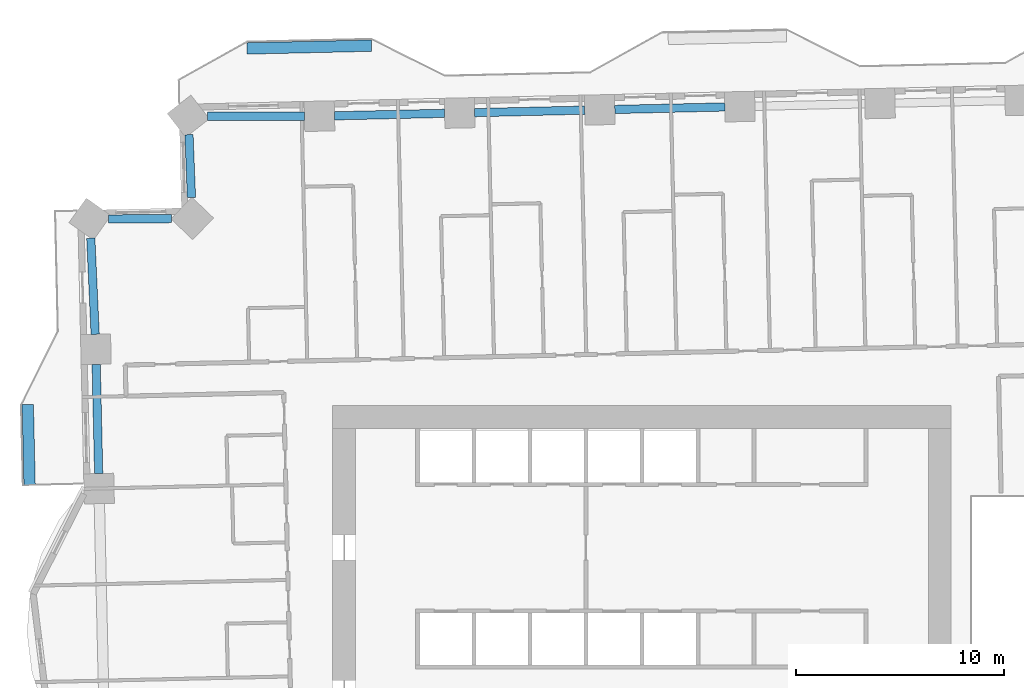
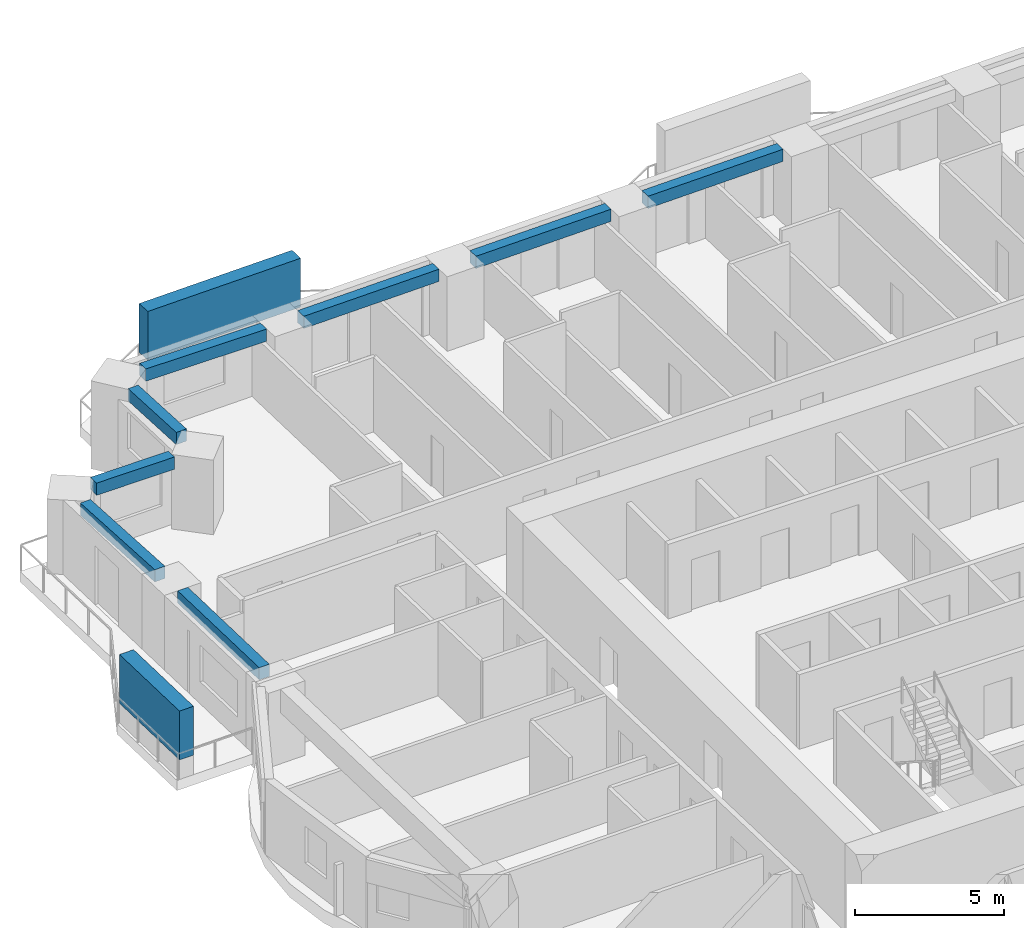
# One storey, part 3 of 17: 8 beams, 2 members.
"""IFC4 building model written with IfcOpenShell, lengths in metres."""

from ifc_helpers import new_model, si_unit, direction, frame, origin, origin_2d, place, context, subcontext, project, spatial, rectangle, extrude, material, material_profile, profile_set, type_object, element, save


model = new_model("IFC4")

# Units and contexts
model_context = context("Model", 3, precision=1e-05, world=origin(), true_north=direction((0.0, 1.0)))
body_context = subcontext(model_context, "Body", "Model", "MODEL_VIEW")
ifc_project = project(units=[si_unit("LENGTHUNIT", "METRE"), si_unit("AREAUNIT", "SQUARE_METRE"), si_unit("VOLUMEUNIT", "CUBIC_METRE"), si_unit("PLANEANGLEUNIT", "RADIAN"), si_unit("MASSUNIT", "GRAM", prefix="KILO")], contexts=[model_context])

# Site, building, storey
site_placement = place(None, origin())
site = spatial("IfcSite", under=ifc_project, at=site_placement, CompositionType="ELEMENT")
building_placement = place(site_placement, origin())
building = spatial("IfcBuilding", under=site, at=building_placement, Name="Mangrove Gate Tower", CompositionType="ELEMENT")
storey_placement = place(building_placement, frame((0.0, 0.0, 86.5)))
storey = spatial("IfcBuildingStorey", under=building, at=storey_placement, Name="L21", CompositionType="ELEMENT", Elevation=86.5)

# Members
ifc_material_1 = material(Name="Planting on aluminium trellis", Category="aluminium")
ifc_material_profile_1 = material_profile(ifc_material_1, rectangle(XDim=0.550048828125, YDim=2.0, at=origin_2d()))
ifc_profile_set_1 = profile_set([ifc_material_profile_1], Name="Planting on aluminium trellis")
member_type = type_object("IfcMemberType", Name="Balcony greenery screen 550x2000", PredefinedType="USERDEFINED", material=ifc_profile_set_1)
member_1_placement = place(storey_placement, frame((-19.028076171875, 29.10400390625, 1.800048828125), z_axis=(0.999743094499, 0.022665943652, 0.0), x_axis=(-0.022665943652, 0.999743094499, 0.0)))
element("IfcMember", 1, at=member_1_placement, inside=storey, type_object=member_type, Name="GREEN SCREEN L21 N1.1", ObjectType="PLANTING", PredefinedType="USERDEFINED", context=body_context, shape_type="SweptSolid", body=[
    extrude(rectangle(XDim=0.550048828125, YDim=2.0, at=origin_2d()), origin(), (0.0, 0.0, 1.0), 5.99951171875),
])
member_2_placement = place(storey_placement, frame((-29.5048828125, 8.071044921875, 1.800048828125), z_axis=(-0.022744303924, 0.999741314861, 0.0), x_axis=(-0.999741314861, -0.022744303924, 0.0)))
element("IfcMember", 2, at=member_2_placement, inside=storey, type_object=member_type, Name="GREEN SCREEN L21 W0.1", ObjectType="PLANTING", PredefinedType="USERDEFINED", context=body_context, shape_type="SweptSolid", body=[
    extrude(rectangle(XDim=0.550048828125, YDim=2.0, at=origin_2d()), origin(), (0.0, 0.0, 1.0), 3.875),
])

# Beams
ifc_material_2 = material(Name="Concrete C50/60", Category="concrete")
ifc_material_profile_2 = material_profile(ifc_material_2, rectangle(XDim=0.39990234375, YDim=0.5, at=origin_2d()))
ifc_profile_set_2 = profile_set([ifc_material_profile_2], Name="Concrete C50/60")
beam_type = type_object("IfcBeamType", Name="Edge beam RC 400x500 C50/60", PredefinedType="BEAM", material=ifc_profile_set_2)
beam_1_placement = place(storey_placement, frame((3.99365234375, 26.28564453125, 2.800048828125), z_axis=(-0.99974349642, -0.02264820887, 0.0), x_axis=(0.02264820887, -0.99974349642, 0.0)))
element("IfcBeam", 3, at=beam_1_placement, inside=storey, type_object=beam_type, Name="Edge beam L21 23", PredefinedType="BEAM", context=body_context, shape_type="SweptSolid", body=[
    extrude(rectangle(XDim=0.39990234375, YDim=0.5, at=origin_2d()), origin(), (0.0, 0.0, 1.0), 5.3037109375),
])
beam_2_placement = place(storey_placement, frame((-2.75830078125, 26.132568359375, 2.800048828125), z_axis=(-0.999740288296, -0.022789382579, 0.0), x_axis=(0.022789382579, -0.999740288296, 0.0)))
element("IfcBeam", 4, at=beam_2_placement, inside=storey, type_object=beam_type, Name="Edge beam L21 24", PredefinedType="BEAM", context=body_context, shape_type="SweptSolid", body=[
    extrude(rectangle(XDim=0.39990234375, YDim=0.5, at=origin_2d()), origin(), (0.0, 0.0, 1.0), 5.302978515625),
])
beam_3_placement = place(storey_placement, frame((-9.50927734375, 25.978759765625, 2.800048828125), z_axis=(-0.999743520031, -0.022647166622, 0.0), x_axis=(0.022647166622, -0.999743520031, 0.0)))
element("IfcBeam", 5, at=beam_3_placement, inside=storey, type_object=beam_type, Name="Edge beam L21 25", PredefinedType="BEAM", context=body_context, shape_type="SweptSolid", body=[
    extrude(rectangle(XDim=0.39990234375, YDim=0.5, at=origin_2d()), origin(), (0.0, 0.0, 1.0), 5.303955078125),
])
beam_4_placement = place(storey_placement, frame((-16.26171875, 25.842041015625, 2.800048828125), z_axis=(-0.999999987755, -0.000156494521, 0.0), x_axis=(0.000156494521, -0.999999987755, 0.0)))
element("IfcBeam", 6, at=beam_4_placement, inside=storey, type_object=beam_type, Name="Edge beam L21 26", PredefinedType="BEAM", context=body_context, shape_type="SweptSolid", body=[
    extrude(rectangle(XDim=0.39990234375, YDim=0.5, at=origin_2d()), origin(), (0.0, 0.0, 1.0), 4.68017578125),
])
beam_5_placement = place(storey_placement, frame((-21.82470703125, 24.950439453125, 2.800048828125), z_axis=(0.039073580826, -0.999236336049, 0.0), x_axis=(0.999236336049, 0.039073580826, 0.0)))
element("IfcBeam", 7, at=beam_5_placement, inside=storey, type_object=beam_type, Name="Edge beam L21 27", PredefinedType="BEAM", context=body_context, shape_type="SweptSolid", body=[
    extrude(rectangle(XDim=0.39990234375, YDim=0.5, at=origin_2d()), origin(), (0.0, 0.0, 1.0), 3.0302734375),
])
beam_6_placement = place(storey_placement, frame((-22.67578125, 20.907470703125, 2.800048828125), z_axis=(-0.99997920912, -0.006448358595, 0.0), x_axis=(0.006448358595, -0.99997920912, 0.0)))
element("IfcBeam", 8, at=beam_6_placement, inside=storey, type_object=beam_type, Name="Edge beam L21 28", PredefinedType="BEAM", context=body_context, shape_type="SweptSolid", body=[
    extrude(rectangle(XDim=0.39990234375, YDim=0.5, at=origin_2d()), origin(), (0.0, 0.0, 1.0), 3.02880859375),
])
beam_7_placement = place(storey_placement, frame((-26.55615234375, 19.96337890625, 2.800048828125), z_axis=(0.045496038402, -0.998964519135, 0.0), x_axis=(0.998964519135, 0.045496038402, 0.0)))
element("IfcBeam", 9, at=beam_7_placement, inside=storey, type_object=beam_type, Name="Edge beam L21 29", PredefinedType="BEAM", context=body_context, shape_type="SweptSolid", body=[
    extrude(rectangle(XDim=0.39990234375, YDim=0.5, at=origin_2d()), origin(), (0.0, 0.0, 1.0), 4.636474609375),
])
beam_8_placement = place(storey_placement, frame((-26.295654296875, 13.882568359375, 2.800048828125), z_axis=(0.02264340849, -0.999743605157, 0.0), x_axis=(0.999743605157, 0.02264340849, 0.0)))
element("IfcBeam", 10, at=beam_8_placement, inside=storey, type_object=beam_type, Name="Edge beam L21 30", PredefinedType="BEAM", context=body_context, shape_type="SweptSolid", body=[
    extrude(rectangle(XDim=0.39990234375, YDim=0.5, at=origin_2d()), origin(), (0.0, 0.0, 1.0), 5.26171875),
])

save(model, "model.ifc")
